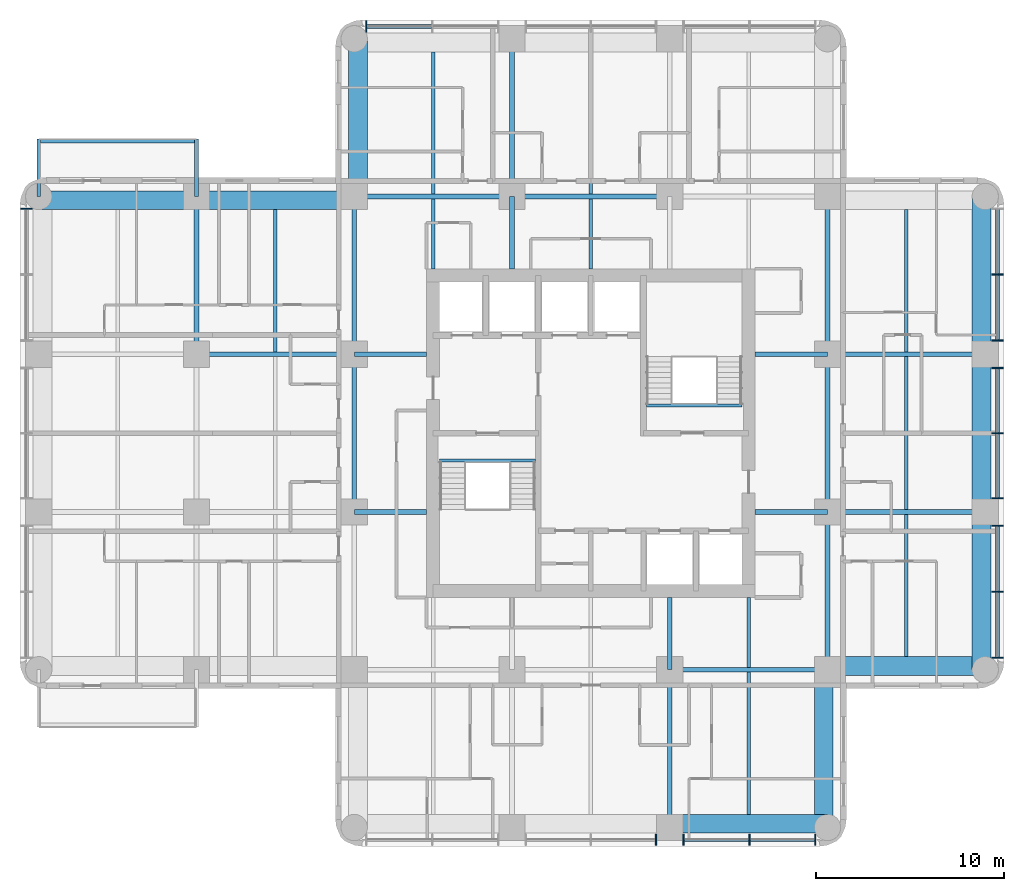
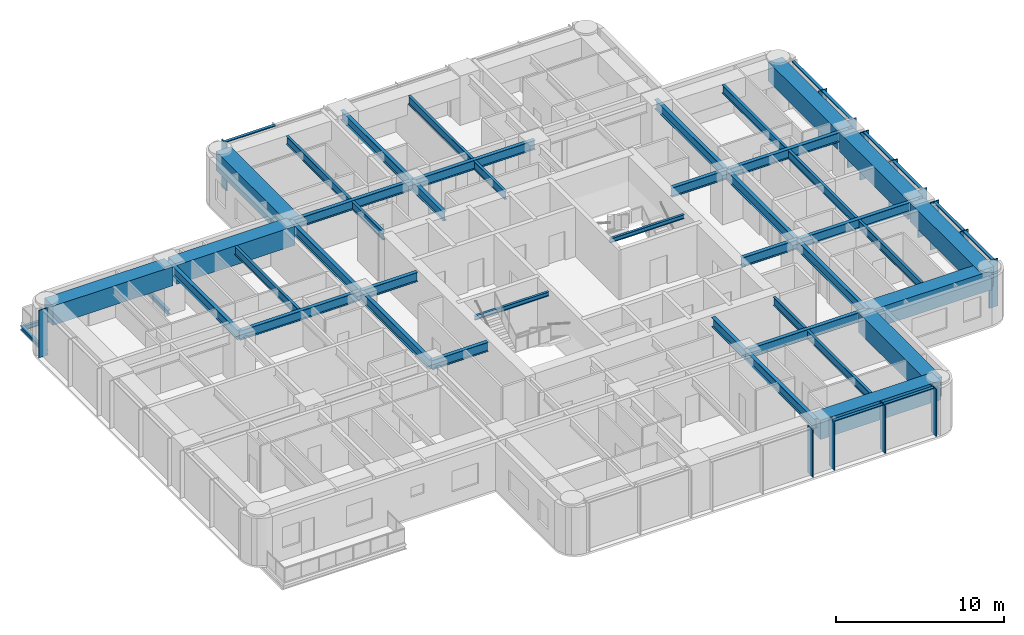
# One storey, part 2 of 11: 44 beams, 23 members, 4 elements without a shape of their own.
"""IFC4 building model written with IfcOpenShell, lengths in metres."""

from ifc_helpers import new_model, si_unit, direction, frame, origin, origin_2d, place, context, subcontext, project, spatial, rectangle, i_section, extrude, material, material_profile, profile_set, type_object, element, aggregate, save


model = new_model("IFC4")

# Units and contexts
model_context = context("Model", 3, precision=1e-05, world=origin(), true_north=direction((0.0, 1.0)))
body_context = subcontext(model_context, "Body", "Model", "MODEL_VIEW")
ifc_project = project(units=[si_unit("LENGTHUNIT", "METRE"), si_unit("AREAUNIT", "SQUARE_METRE"), si_unit("VOLUMEUNIT", "CUBIC_METRE"), si_unit("PLANEANGLEUNIT", "RADIAN"), si_unit("MASSUNIT", "GRAM", prefix="KILO")], contexts=[model_context])

# Site, building, storey
site_placement = place(None, origin())
site = spatial("IfcSite", under=ifc_project, at=site_placement, CompositionType="ELEMENT")
building_placement = place(site_placement, origin())
building = spatial("IfcBuilding", under=site, at=building_placement, Name="Torre Alcanfor", CompositionType="ELEMENT")
storey_placement = place(building_placement, frame((0.0, 0.0, 222.89990234375)))
storey = spatial("IfcBuildingStorey", under=building, at=storey_placement, Name="L58", CompositionType="ELEMENT", Elevation=222.89990234375)

# Beams
ifc_material_1 = material(Name="Steel ASTM A992 Grade 50", Category="steel")
ifc_material_profile_1 = material_profile(ifc_material_1, i_section(OverallWidth=0.205322265625, OverallDepth=0.309814453125, WebThickness=0.00927734375, FlangeThickness=0.016357421875, at=origin_2d()), Name="W12x50")
ifc_profile_set_1 = profile_set([ifc_material_profile_1], Name="Steel ASTM A992 Grade 50")
beam_type_1 = type_object("IfcBeamType", Name="Balcony cantilever beam W12x50", PredefinedType="BEAM", material=ifc_profile_set_1)
for number, where, z_axis, x_axis, name in (
    (1, (8.39990234375, 42.0, -0.354736328125), (0.0, 1.0, 0.0), (-1.0, 0.0, 0.0), "Balcony cantilever beam L58-W2 1"),
    (2, (0.0, 42.0, -0.354736328125), (0.0, 1.0, 0.0), (-1.0, 0.0, 0.0), "Balcony cantilever beam L58-W2 2"),
):
    element("IfcBeam", number, at=place(storey_placement, frame(where, z_axis=z_axis, x_axis=x_axis)), inside=storey, type_object=beam_type_1, Name=name, PredefinedType="BEAM", context=body_context, shape_type="SweptSolid", body=[
        extrude(i_section(OverallWidth=0.205322265625, OverallDepth=0.309814453125, WebThickness=0.00927734375, FlangeThickness=0.016357421875, at=origin_2d()), origin(), (0.0, 0.0, 1.0), 3.050048828125),
    ])
ifc_material_2 = material(Name="Steel ASTM A992 Grade 50", Category="steel")
ifc_material_profile_2 = material_profile(ifc_material_2, i_section(OverallWidth=0.203369140625, OverallDepth=0.30224609375, WebThickness=0.007568359375, FlangeThickness=0.01318359375, at=origin_2d()), Name="W12x40")
ifc_profile_set_2 = profile_set([ifc_material_profile_2], Name="Steel ASTM A992 Grade 50")
beam_type_2 = type_object("IfcBeamType", Name="Balcony edge trimmer W12x40", PredefinedType="BEAM", material=ifc_profile_set_2)
beam_1_placement = place(storey_placement, frame((8.39990234375, 44.9482421875, -0.35107421875), z_axis=(-1.0, 0.0, 0.0), x_axis=(0.0, -1.0, 0.0)))
element("IfcBeam", 3, at=beam_1_placement, inside=storey, type_object=beam_type_2, Name="Balcony edge trimmer L58-W2", PredefinedType="BEAM", context=body_context, shape_type="SweptSolid", body=[
    extrude(i_section(OverallWidth=0.203369140625, OverallDepth=0.30224609375, WebThickness=0.007568359375, FlangeThickness=0.01318359375, at=origin_2d()), origin(), (0.0, 0.0, 1.0), 8.39990234375),
])

# Curtain wall, member
ifc_material_3 = material(Name="Aluminium and glass", Category="aluminium")
curtain_wall_type = type_object("IfcCurtainWallType", Name="CW-A unitised apartment glazing with vertical FIN", PredefinedType="NOTDEFINED", material=ifc_material_3)
curtain_wall_1_placement = place(storey_placement, origin())
curtain_wall_1 = element("IfcCurtainWall", 4, at=curtain_wall_1_placement, inside=storey, type_object=curtain_wall_type, Name="Curtain wall CW-A L58 2", PredefinedType="NOTDEFINED")
ifc_material_4 = material(Name="Bronze anodised aluminium", Category="aluminium")
ifc_material_profile_3 = material_profile(ifc_material_4, rectangle(XDim=0.60009765625, YDim=0.06494140625, at=origin_2d()), Name="CW-A mullion 65x600")
ifc_profile_set_3 = profile_set([ifc_material_profile_3], Name="Bronze anodised aluminium")
member_type_1 = type_object("IfcMemberType", Name="CW-A mullion with vertical FIN 65x600", PredefinedType="MULLION", material=ifc_profile_set_3)
member_1_placement = place(storey_placement, frame((-0.64990234375, 41.35546875, 0.0), z_axis=(0.0, 0.0, 1.0), x_axis=(1.0, 0.0, 0.0)))
member_1 = element("IfcMember", 5, at=member_1_placement, type_object=member_type_1, Name="CW-A mullion 1.1", PredefinedType="MULLION", context=body_context, shape_type="SweptSolid", body=[
    extrude(rectangle(XDim=0.60009765625, YDim=0.06494140625, at=origin_2d()), origin(), (0.0, 0.0, 1.0), 3.4501953125),
])
aggregate(curtain_wall_1, [member_1])

# Curtain wall, members
curtain_wall_2_placement = place(storey_placement, origin())
curtain_wall_2 = element("IfcCurtainWall", 6, at=curtain_wall_2_placement, inside=storey, type_object=curtain_wall_type, Name="Curtain wall CW-A L58 5", PredefinedType="NOTDEFINED")
member_2_placement = place(storey_placement, frame((32.862548828125, 7.75, 0.0), z_axis=(0.0, 0.0, 1.0), x_axis=(0.0, 1.0, 0.0)))
member_2 = element("IfcMember", 7, at=member_2_placement, type_object=member_type_1, Name="CW-A mullion 2.3", PredefinedType="MULLION", context=body_context, shape_type="SweptSolid", body=[
    extrude(rectangle(XDim=0.60009765625, YDim=0.06494140625, at=origin_2d()), origin(), (0.0, 0.0, 1.0), 3.4501953125),
])
member_3_placement = place(storey_placement, frame((34.33740234375, 7.75, 0.0), z_axis=(0.0, 0.0, 1.0), x_axis=(0.0, 1.0, 0.0)))
member_3 = element("IfcMember", 8, at=member_3_placement, type_object=member_type_1, Name="CW-A mullion 3.1", PredefinedType="MULLION", context=body_context, shape_type="SweptSolid", body=[
    extrude(rectangle(XDim=0.60009765625, YDim=0.06494140625, at=origin_2d()), origin(), (0.0, 0.0, 1.0), 3.4501953125),
])
member_4_placement = place(storey_placement, frame((37.846435546875, 7.75, 0.0), z_axis=(0.0, 0.0, 1.0), x_axis=(0.0, 1.0, 0.0)))
member_4 = element("IfcMember", 9, at=member_4_placement, type_object=member_type_1, Name="CW-A mullion 3.2", PredefinedType="MULLION", context=body_context, shape_type="SweptSolid", body=[
    extrude(rectangle(XDim=0.60009765625, YDim=0.06494140625, at=origin_2d()), origin(), (0.0, 0.0, 1.0), 3.4501953125),
])
member_5_placement = place(storey_placement, frame((41.35546875, 7.75, 0.0), z_axis=(0.0, 0.0, 1.0), x_axis=(0.0, 1.0, 0.0)))
member_5 = element("IfcMember", 10, at=member_5_placement, type_object=member_type_1, Name="CW-A mullion 3.3", PredefinedType="MULLION", context=body_context, shape_type="SweptSolid", body=[
    extrude(rectangle(XDim=0.60009765625, YDim=0.06494140625, at=origin_2d()), origin(), (0.0, 0.0, 1.0), 3.4501953125),
])

curtain_wall_3_placement = place(storey_placement, origin())
curtain_wall_3 = element("IfcCurtainWall", 11, at=curtain_wall_3_placement, inside=storey, type_object=curtain_wall_type, Name="Curtain wall CW-A L58 8", PredefinedType="NOTDEFINED")
member_6_placement = place(storey_placement, frame((51.050048828125, 17.444580078125, 0.0), z_axis=(0.0, 0.0, 1.0), x_axis=(-1.0, 0.0, 0.0)))
member_6 = element("IfcMember", 12, at=member_6_placement, type_object=member_type_1, Name="CW-A mullion 1.1", PredefinedType="MULLION", context=body_context, shape_type="SweptSolid", body=[
    extrude(rectangle(XDim=0.60009765625, YDim=0.06494140625, at=origin_2d()), origin(), (0.0, 0.0, 1.0), 3.4501953125),
])
member_7_placement = place(storey_placement, frame((51.050048828125, 20.95361328125, 0.0), z_axis=(0.0, 0.0, 1.0), x_axis=(-1.0, 0.0, 0.0)))
member_7 = element("IfcMember", 13, at=member_7_placement, type_object=member_type_1, Name="CW-A mullion 1.2", PredefinedType="MULLION", context=body_context, shape_type="SweptSolid", body=[
    extrude(rectangle(XDim=0.60009765625, YDim=0.06494140625, at=origin_2d()), origin(), (0.0, 0.0, 1.0), 3.4501953125),
])
member_8_placement = place(storey_placement, frame((51.050048828125, 24.46240234375, 0.0), z_axis=(0.0, 0.0, 1.0), x_axis=(-1.0, 0.0, 0.0)))
member_8 = element("IfcMember", 14, at=member_8_placement, type_object=member_type_1, Name="CW-A mullion 1.3", PredefinedType="MULLION", context=body_context, shape_type="SweptSolid", body=[
    extrude(rectangle(XDim=0.60009765625, YDim=0.06494140625, at=origin_2d()), origin(), (0.0, 0.0, 1.0), 3.4501953125),
])
member_9_placement = place(storey_placement, frame((51.050048828125, 25.9375, 0.0), z_axis=(0.0, 0.0, 1.0), x_axis=(-1.0, 0.0, 0.0)))
member_9 = element("IfcMember", 15, at=member_9_placement, type_object=member_type_1, Name="CW-A mullion 2.1", PredefinedType="MULLION", context=body_context, shape_type="SweptSolid", body=[
    extrude(rectangle(XDim=0.60009765625, YDim=0.06494140625, at=origin_2d()), origin(), (0.0, 0.0, 1.0), 3.4501953125),
])
member_10_placement = place(storey_placement, frame((51.050048828125, 29.39990234375, 0.0), z_axis=(0.0, 0.0, 1.0), x_axis=(-1.0, 0.0, 0.0)))
member_10 = element("IfcMember", 16, at=member_10_placement, type_object=member_type_1, Name="CW-A mullion 2.2", PredefinedType="MULLION", context=body_context, shape_type="SweptSolid", body=[
    extrude(rectangle(XDim=0.60009765625, YDim=0.06494140625, at=origin_2d()), origin(), (0.0, 0.0, 1.0), 3.4501953125),
])
member_11_placement = place(storey_placement, frame((51.050048828125, 32.862548828125, 0.0), z_axis=(0.0, 0.0, 1.0), x_axis=(-1.0, 0.0, 0.0)))
member_11 = element("IfcMember", 17, at=member_11_placement, type_object=member_type_1, Name="CW-A mullion 2.3", PredefinedType="MULLION", context=body_context, shape_type="SweptSolid", body=[
    extrude(rectangle(XDim=0.60009765625, YDim=0.06494140625, at=origin_2d()), origin(), (0.0, 0.0, 1.0), 3.4501953125),
])
member_12_placement = place(storey_placement, frame((51.050048828125, 34.33740234375, 0.0), z_axis=(0.0, 0.0, 1.0), x_axis=(-1.0, 0.0, 0.0)))
member_12 = element("IfcMember", 18, at=member_12_placement, type_object=member_type_1, Name="CW-A mullion 3.1", PredefinedType="MULLION", context=body_context, shape_type="SweptSolid", body=[
    extrude(rectangle(XDim=0.60009765625, YDim=0.06494140625, at=origin_2d()), origin(), (0.0, 0.0, 1.0), 3.4501953125),
])
member_13_placement = place(storey_placement, frame((51.050048828125, 37.846435546875, 0.0), z_axis=(0.0, 0.0, 1.0), x_axis=(-1.0, 0.0, 0.0)))
member_13 = element("IfcMember", 19, at=member_13_placement, type_object=member_type_1, Name="CW-A mullion 3.2", PredefinedType="MULLION", context=body_context, shape_type="SweptSolid", body=[
    extrude(rectangle(XDim=0.60009765625, YDim=0.06494140625, at=origin_2d()), origin(), (0.0, 0.0, 1.0), 3.4501953125),
])

# Curtain wall, member
curtain_wall_4_placement = place(storey_placement, origin())
curtain_wall_4 = element("IfcCurtainWall", 20, at=curtain_wall_4_placement, inside=storey, type_object=curtain_wall_type, Name="Curtain wall CW-A L58 11", PredefinedType="NOTDEFINED")
member_14_placement = place(storey_placement, frame((17.444580078125, 51.050048828125, 0.0), z_axis=(0.0, 0.0, 1.0), x_axis=(0.0, -1.0, 0.0)))
member_14 = element("IfcMember", 21, at=member_14_placement, type_object=member_type_1, Name="CW-A mullion 3.3", PredefinedType="MULLION", context=body_context, shape_type="SweptSolid", body=[
    extrude(rectangle(XDim=0.60009765625, YDim=0.06494140625, at=origin_2d()), origin(), (0.0, 0.0, 1.0), 3.4501953125),
])

# Member
ifc_material_5 = material(Name="Extruded aluminium", Category="aluminium")
ifc_material_profile_4 = material_profile(ifc_material_5, rectangle(XDim=0.199951171875, YDim=0.06494140625, at=origin_2d()), Name="CW-A transom 200x65")
ifc_profile_set_4 = profile_set([ifc_material_profile_4], Name="Extruded aluminium")
member_type_2 = type_object("IfcMemberType", Name="CW-A transom 65x200", PredefinedType="USERDEFINED", material=ifc_profile_set_4)
member_15_placement = place(storey_placement, frame((34.3701171875, 7.75, 3.41748046875), z_axis=(1.0, 0.0, 0.0), x_axis=(0.0, 1.0, 0.0)))
member_15 = element("IfcMember", 22, at=member_15_placement, type_object=member_type_2, Name="CW-A transom 3.1.2", ObjectType="TRANSOM", PredefinedType="USERDEFINED", context=body_context, shape_type="SweptSolid", body=[
    extrude(rectangle(XDim=0.199951171875, YDim=0.06494140625, at=origin_2d()), origin(), (0.0, 0.0, 1.0), 3.44384765625),
])

member_16_placement = place(storey_placement, frame((37.87890625, 7.75, 3.41748046875), z_axis=(1.0, 0.0, 0.0), x_axis=(0.0, 1.0, 0.0)))
member_16 = element("IfcMember", 23, at=member_16_placement, type_object=member_type_2, Name="CW-A transom 3.2.2", ObjectType="TRANSOM", PredefinedType="USERDEFINED", context=body_context, shape_type="SweptSolid", body=[
    extrude(rectangle(XDim=0.199951171875, YDim=0.06494140625, at=origin_2d()), origin(), (0.0, 0.0, 1.0), 3.444091796875),
])

aggregate(curtain_wall_2, [member_2, member_3, member_4, member_5, member_15, member_16])

member_17_placement = place(storey_placement, frame((51.050048828125, 17.47705078125, 3.41748046875), z_axis=(0.0, 1.0, 0.0), x_axis=(-1.0, 0.0, 0.0)))
member_17 = element("IfcMember", 24, at=member_17_placement, type_object=member_type_2, Name="CW-A transom 1.1.2", ObjectType="TRANSOM", PredefinedType="USERDEFINED", context=body_context, shape_type="SweptSolid", body=[
    extrude(rectangle(XDim=0.199951171875, YDim=0.06494140625, at=origin_2d()), origin(), (0.0, 0.0, 1.0), 3.44384765625),
])

member_18_placement = place(storey_placement, frame((51.050048828125, 20.986083984375, 3.41748046875), z_axis=(0.0, 1.0, 0.0), x_axis=(-1.0, 0.0, 0.0)))
member_18 = element("IfcMember", 25, at=member_18_placement, type_object=member_type_2, Name="CW-A transom 1.2.2", ObjectType="TRANSOM", PredefinedType="USERDEFINED", context=body_context, shape_type="SweptSolid", body=[
    extrude(rectangle(XDim=0.199951171875, YDim=0.06494140625, at=origin_2d()), origin(), (0.0, 0.0, 1.0), 3.44384765625),
])

member_19_placement = place(storey_placement, frame((51.050048828125, 25.969970703125, 3.41748046875), z_axis=(0.0, 1.0, 0.0), x_axis=(-1.0, 0.0, 0.0)))
member_19 = element("IfcMember", 26, at=member_19_placement, type_object=member_type_2, Name="CW-A transom 2.1.2", ObjectType="TRANSOM", PredefinedType="USERDEFINED", context=body_context, shape_type="SweptSolid", body=[
    extrude(rectangle(XDim=0.199951171875, YDim=0.06494140625, at=origin_2d()), origin(), (0.0, 0.0, 1.0), 3.3974609375),
])

member_20_placement = place(storey_placement, frame((51.050048828125, 29.4326171875, 3.41748046875), z_axis=(0.0, 1.0, 0.0), x_axis=(-1.0, 0.0, 0.0)))
member_20 = element("IfcMember", 27, at=member_20_placement, type_object=member_type_2, Name="CW-A transom 2.2.2", ObjectType="TRANSOM", PredefinedType="USERDEFINED", context=body_context, shape_type="SweptSolid", body=[
    extrude(rectangle(XDim=0.199951171875, YDim=0.06494140625, at=origin_2d()), origin(), (0.0, 0.0, 1.0), 3.3974609375),
])

member_21_placement = place(storey_placement, frame((51.050048828125, 34.3701171875, 3.41748046875), z_axis=(0.0, 1.0, 0.0), x_axis=(-1.0, 0.0, 0.0)))
member_21 = element("IfcMember", 28, at=member_21_placement, type_object=member_type_2, Name="CW-A transom 3.1.2", ObjectType="TRANSOM", PredefinedType="USERDEFINED", context=body_context, shape_type="SweptSolid", body=[
    extrude(rectangle(XDim=0.199951171875, YDim=0.06494140625, at=origin_2d()), origin(), (0.0, 0.0, 1.0), 3.44384765625),
])

member_22_placement = place(storey_placement, frame((51.050048828125, 37.87890625, 3.41748046875), z_axis=(0.0, 1.0, 0.0), x_axis=(-1.0, 0.0, 0.0)))
member_22 = element("IfcMember", 29, at=member_22_placement, type_object=member_type_2, Name="CW-A transom 3.2.2", ObjectType="TRANSOM", PredefinedType="USERDEFINED", context=body_context, shape_type="SweptSolid", body=[
    extrude(rectangle(XDim=0.199951171875, YDim=0.06494140625, at=origin_2d()), origin(), (0.0, 0.0, 1.0), 3.444091796875),
])

aggregate(curtain_wall_3, [member_6, member_7, member_8, member_17, member_18, member_9, member_10, member_11, member_19, member_20, member_12, member_13, member_21, member_22])

member_23_placement = place(storey_placement, frame((20.9208984375, 51.050048828125, 3.41748046875), z_axis=(-1.0, 0.0, 0.0), x_axis=(0.0, -1.0, 0.0)))
member_23 = element("IfcMember", 30, at=member_23_placement, type_object=member_type_2, Name="CW-A transom 3.2.2", ObjectType="TRANSOM", PredefinedType="USERDEFINED", context=body_context, shape_type="SweptSolid", body=[
    extrude(rectangle(XDim=0.199951171875, YDim=0.06494140625, at=origin_2d()), origin(), (0.0, 0.0, 1.0), 3.44384765625),
])

aggregate(curtain_wall_4, [member_14, member_23])

# Beams
ifc_material_6 = material(Name="Steel ASTM A992 Grade 50", Category="steel")
ifc_material_profile_5 = material_profile(ifc_material_6, i_section(OverallWidth=0.25390625, OverallDepth=0.683349609375, WebThickness=0.012451171875, FlangeThickness=0.01904296875, at=origin_2d()), Name="W27x94")
ifc_profile_set_5 = profile_set([ifc_material_profile_5], Name="Steel ASTM A992 Grade 50")
beam_type_3 = type_object("IfcBeamType", Name="Girder W27x94", PredefinedType="BEAM", material=ifc_profile_set_5)
for number, where, z_axis, x_axis, name in (
    (31, (33.60009765625, 16.800048828125, 3.1083984375), (1.0, 0.0, 0.0), (0.0, 1.0, 0.0), "Beam 5E-6E under L59"),
    (32, (42.0, 25.199951171875, 3.1083984375), (1.0, 0.0, 0.0), (0.0, 1.0, 0.0), "Beam 6F-7F under L59"),
):
    element("IfcBeam", number, at=place(storey_placement, frame(where, z_axis=z_axis, x_axis=x_axis)), inside=storey, type_object=beam_type_3, Name=name, PredefinedType="BEAM", context=body_context, shape_type="SweptSolid", body=[
        extrude(i_section(OverallWidth=0.25390625, OverallDepth=0.683349609375, WebThickness=0.012451171875, FlangeThickness=0.01904296875, at=origin_2d()), origin(), (0.0, 0.0, 1.0), 8.39990234375),
    ])
beam_2_placement = place(storey_placement, frame((8.39990234375, 33.60009765625, 3.1083984375), z_axis=(1.0, 0.0, 0.0), x_axis=(0.0, 1.0, 0.0)))
element("IfcBeam", 33, at=beam_2_placement, inside=storey, type_object=beam_type_3, Name="Beam 2G-3G under L59", PredefinedType="BEAM", context=body_context, shape_type="SweptSolid", body=[
    extrude(i_section(OverallWidth=0.25390625, OverallDepth=0.683349609375, WebThickness=0.012451171875, FlangeThickness=0.01904296875, at=origin_2d()), origin(), (0.0, 0.0, 1.0), 8.400146484375),
])
for number, where, z_axis, x_axis, name in (
    (34, (42.0, 33.60009765625, 3.1083984375), (1.0, 0.0, 0.0), (0.0, 1.0, 0.0), "Beam 6G-7G under L59"),
    (35, (16.800048828125, 42.0, 3.1083984375), (1.0, 0.0, 0.0), (0.0, 1.0, 0.0), "Beam 3H-4H under L59"),
):
    element("IfcBeam", number, at=place(storey_placement, frame(where, z_axis=z_axis, x_axis=x_axis)), inside=storey, type_object=beam_type_3, Name=name, PredefinedType="BEAM", context=body_context, shape_type="SweptSolid", body=[
        extrude(i_section(OverallWidth=0.25390625, OverallDepth=0.683349609375, WebThickness=0.012451171875, FlangeThickness=0.01904296875, at=origin_2d()), origin(), (0.0, 0.0, 1.0), 8.39990234375),
    ])
beam_3_placement = place(storey_placement, frame((25.199951171875, 42.0, 3.1083984375), z_axis=(1.0, 0.0, 0.0), x_axis=(0.0, 1.0, 0.0)))
element("IfcBeam", 36, at=beam_3_placement, inside=storey, type_object=beam_type_3, Name="Beam 4H-5H under L59", PredefinedType="BEAM", context=body_context, shape_type="SweptSolid", body=[
    extrude(i_section(OverallWidth=0.25390625, OverallDepth=0.683349609375, WebThickness=0.012451171875, FlangeThickness=0.01904296875, at=origin_2d()), origin(), (0.0, 0.0, 1.0), 8.400146484375),
])
beam_4_placement = place(storey_placement, frame((8.39990234375, 33.60009765625, 3.1083984375), z_axis=(0.0, 1.0, 0.0), x_axis=(-1.0, 0.0, 0.0)))
element("IfcBeam", 37, at=beam_4_placement, inside=storey, type_object=beam_type_3, Name="Beam 2G-2H under L59", PredefinedType="BEAM", context=body_context, shape_type="SweptSolid", body=[
    extrude(i_section(OverallWidth=0.25390625, OverallDepth=0.683349609375, WebThickness=0.012451171875, FlangeThickness=0.01904296875, at=origin_2d()), origin(), (0.0, 0.0, 1.0), 8.39990234375),
])
beam_5_placement = place(storey_placement, frame((16.800048828125, 25.199951171875, 3.1083984375), z_axis=(0.0, 1.0, 0.0), x_axis=(-1.0, 0.0, 0.0)))
element("IfcBeam", 38, at=beam_5_placement, inside=storey, type_object=beam_type_3, Name="Beam 3F-3G under L59", PredefinedType="BEAM", context=body_context, shape_type="SweptSolid", body=[
    extrude(i_section(OverallWidth=0.25390625, OverallDepth=0.683349609375, WebThickness=0.012451171875, FlangeThickness=0.01904296875, at=origin_2d()), origin(), (0.0, 0.0, 1.0), 8.400146484375),
])
for number, where, z_axis, x_axis, name in (
    (39, (16.800048828125, 33.60009765625, 3.1083984375), (0.0, 1.0, 0.0), (-1.0, 0.0, 0.0), "Beam 3G-3H under L59"),
    (40, (25.199951171875, 42.0, 3.1083984375), (0.0, 1.0, 0.0), (-1.0, 0.0, 0.0), "Beam 4H-4J under L59"),
):
    element("IfcBeam", number, at=place(storey_placement, frame(where, z_axis=z_axis, x_axis=x_axis)), inside=storey, type_object=beam_type_3, Name=name, PredefinedType="BEAM", context=body_context, shape_type="SweptSolid", body=[
        extrude(i_section(OverallWidth=0.25390625, OverallDepth=0.683349609375, WebThickness=0.012451171875, FlangeThickness=0.01904296875, at=origin_2d()), origin(), (0.0, 0.0, 1.0), 8.39990234375),
    ])
beam_6_placement = place(storey_placement, frame((33.60009765625, 8.39990234375, 3.1083984375), z_axis=(0.0, 1.0, 0.0), x_axis=(-1.0, 0.0, 0.0)))
element("IfcBeam", 41, at=beam_6_placement, inside=storey, type_object=beam_type_3, Name="Beam 5D-5E under L59", PredefinedType="BEAM", context=body_context, shape_type="SweptSolid", body=[
    extrude(i_section(OverallWidth=0.25390625, OverallDepth=0.683349609375, WebThickness=0.012451171875, FlangeThickness=0.01904296875, at=origin_2d()), origin(), (0.0, 0.0, 1.0), 8.400146484375),
])
beam_7_placement = place(storey_placement, frame((42.0, 16.800048828125, 3.1083984375), z_axis=(0.0, 1.0, 0.0), x_axis=(-1.0, 0.0, 0.0)))
element("IfcBeam", 42, at=beam_7_placement, inside=storey, type_object=beam_type_3, Name="Beam 6E-6F under L59", PredefinedType="BEAM", context=body_context, shape_type="SweptSolid", body=[
    extrude(i_section(OverallWidth=0.25390625, OverallDepth=0.683349609375, WebThickness=0.012451171875, FlangeThickness=0.01904296875, at=origin_2d()), origin(), (0.0, 0.0, 1.0), 8.39990234375),
])
beam_8_placement = place(storey_placement, frame((42.0, 25.199951171875, 3.1083984375), z_axis=(0.0, 1.0, 0.0), x_axis=(-1.0, 0.0, 0.0)))
element("IfcBeam", 43, at=beam_8_placement, inside=storey, type_object=beam_type_3, Name="Beam 6F-6G under L59", PredefinedType="BEAM", context=body_context, shape_type="SweptSolid", body=[
    extrude(i_section(OverallWidth=0.25390625, OverallDepth=0.683349609375, WebThickness=0.012451171875, FlangeThickness=0.01904296875, at=origin_2d()), origin(), (0.0, 0.0, 1.0), 8.400146484375),
])
beam_9_placement = place(storey_placement, frame((42.0, 33.60009765625, 3.1083984375), z_axis=(0.0, 1.0, 0.0), x_axis=(-1.0, 0.0, 0.0)))
element("IfcBeam", 44, at=beam_9_placement, inside=storey, type_object=beam_type_3, Name="Beam 6G-6H under L59", PredefinedType="BEAM", context=body_context, shape_type="SweptSolid", body=[
    extrude(i_section(OverallWidth=0.25390625, OverallDepth=0.683349609375, WebThickness=0.012451171875, FlangeThickness=0.01904296875, at=origin_2d()), origin(), (0.0, 0.0, 1.0), 8.39990234375),
])
ifc_material_7 = material(Name="Steel ASTM A992 Grade 50", Category="steel")
ifc_material_profile_6 = material_profile(ifc_material_7, i_section(OverallWidth=0.25390625, OverallDepth=0.683349609375, WebThickness=0.012451171875, FlangeThickness=0.01904296875, at=origin_2d()), Name="W27x94")
ifc_profile_set_6 = profile_set([ifc_material_profile_6], Name="Steel ASTM A992 Grade 50")
beam_type_4 = type_object("IfcBeamType", Name="Girder, part bay W27x94", PredefinedType="BEAM", material=ifc_profile_set_6)
beam_10_placement = place(storey_placement, frame((25.199951171875, 42.0, 3.1083984375), z_axis=(0.0, -1.0, 0.0), x_axis=(1.0, 0.0, 0.0)))
element("IfcBeam", 45, at=beam_10_placement, inside=storey, type_object=beam_type_4, Name="Beam 4H-438_15 under L59", PredefinedType="BEAM", context=body_context, shape_type="SweptSolid", body=[
    extrude(i_section(OverallWidth=0.25390625, OverallDepth=0.683349609375, WebThickness=0.012451171875, FlangeThickness=0.01904296875, at=origin_2d()), origin(), (0.0, 0.0, 1.0), 3.85009765625),
])
for number, where, z_axis, x_axis, name in (
    (46, (33.60009765625, 16.800048828125, 3.1083984375), (0.0, 1.0, 0.0), (-1.0, 0.0, 0.0), "Beam 5E-520_65 under L59"),
    (47, (16.800048828125, 25.199951171875, 3.1083984375), (1.0, 0.0, 0.0), (0.0, 1.0, 0.0), "Beam 3F-20_65F under L59"),
):
    element("IfcBeam", number, at=place(storey_placement, frame(where, z_axis=z_axis, x_axis=x_axis)), inside=storey, type_object=beam_type_4, Name=name, PredefinedType="BEAM", context=body_context, shape_type="SweptSolid", body=[
        extrude(i_section(OverallWidth=0.25390625, OverallDepth=0.683349609375, WebThickness=0.012451171875, FlangeThickness=0.01904296875, at=origin_2d()), origin(), (0.0, 0.0, 1.0), 3.849853515625),
    ])
beam_11_placement = place(storey_placement, frame((42.0, 25.199951171875, 3.1083984375), z_axis=(-1.0, 0.0, 0.0), x_axis=(0.0, -1.0, 0.0)))
element("IfcBeam", 48, at=beam_11_placement, inside=storey, type_object=beam_type_4, Name="Beam 6F-38_15F under L59", PredefinedType="BEAM", context=body_context, shape_type="SweptSolid", body=[
    extrude(i_section(OverallWidth=0.25390625, OverallDepth=0.683349609375, WebThickness=0.012451171875, FlangeThickness=0.01904296875, at=origin_2d()), origin(), (0.0, 0.0, 1.0), 3.85009765625),
])
beam_12_placement = place(storey_placement, frame((16.800048828125, 33.60009765625, 3.1083984375), z_axis=(1.0, 0.0, 0.0), x_axis=(0.0, 1.0, 0.0)))
element("IfcBeam", 49, at=beam_12_placement, inside=storey, type_object=beam_type_4, Name="Beam 3G-20_65G under L59", PredefinedType="BEAM", context=body_context, shape_type="SweptSolid", body=[
    extrude(i_section(OverallWidth=0.25390625, OverallDepth=0.683349609375, WebThickness=0.012451171875, FlangeThickness=0.01904296875, at=origin_2d()), origin(), (0.0, 0.0, 1.0), 3.849853515625),
])
beam_13_placement = place(storey_placement, frame((42.0, 33.60009765625, 3.1083984375), z_axis=(-1.0, 0.0, 0.0), x_axis=(0.0, -1.0, 0.0)))
element("IfcBeam", 50, at=beam_13_placement, inside=storey, type_object=beam_type_4, Name="Beam 6G-38_15G under L59", PredefinedType="BEAM", context=body_context, shape_type="SweptSolid", body=[
    extrude(i_section(OverallWidth=0.25390625, OverallDepth=0.683349609375, WebThickness=0.012451171875, FlangeThickness=0.01904296875, at=origin_2d()), origin(), (0.0, 0.0, 1.0), 3.85009765625),
])
ifc_material_8 = material(Name="Concrete f'c 70 MPa", Category="concrete")
ifc_material_profile_7 = material_profile(ifc_material_8, rectangle(XDim=1.0, YDim=1.39990234375, at=origin_2d()), Name="1000x1400")
ifc_profile_set_7 = profile_set([ifc_material_profile_7], Name="Concrete f'c 70 MPa")
beam_type_5 = type_object("IfcBeamType", Name="RC perimeter beam 1000x1400", PredefinedType="BEAM", material=ifc_profile_set_7)
for number, where, z_axis, x_axis, name in (
    (51, (33.72705078125, 8.60009765625, 2.75), (1.0, 0.0, 0.0), (0.0, 1.0, 0.0), "Beam 5D-6D under L59"),
    (52, (42.126953125, 17.0, 2.75), (1.0, 0.0, 0.0), (0.0, 1.0, 0.0), "Beam 6E-7E under L59"),
    (53, (0.0, 41.800048828125, 2.75), (1.0, 0.0, 0.0), (0.0, 1.0, 0.0), "Beam 1H-2H under L59"),
):
    element("IfcBeam", number, at=place(storey_placement, frame(where, z_axis=z_axis, x_axis=x_axis)), inside=storey, type_object=beam_type_5, Name=name, PredefinedType="BEAM", context=body_context, shape_type="SweptSolid", body=[
        extrude(rectangle(XDim=1.0, YDim=1.39990234375, at=origin_2d()), origin(), (0.0, 0.0, 1.0), 8.27294921875),
    ])
beam_14_placement = place(storey_placement, frame((8.527099609375, 41.800048828125, 2.75), z_axis=(1.0, 0.0, 0.0), x_axis=(0.0, 1.0, 0.0)))
element("IfcBeam", 54, at=beam_14_placement, inside=storey, type_object=beam_type_5, Name="Beam 2H-3H under L59", PredefinedType="BEAM", context=body_context, shape_type="SweptSolid", body=[
    extrude(rectangle(XDim=1.0, YDim=1.39990234375, at=origin_2d()), origin(), (0.0, 0.0, 1.0), 8.14599609375),
])
beam_15_placement = place(storey_placement, frame((17.0, 42.126953125, 2.75), z_axis=(0.0, 1.0, 0.0), x_axis=(-1.0, 0.0, 0.0)))
element("IfcBeam", 55, at=beam_15_placement, inside=storey, type_object=beam_type_5, Name="Beam 3H-3J under L59", PredefinedType="BEAM", context=body_context, shape_type="SweptSolid", body=[
    extrude(rectangle(XDim=1.0, YDim=1.39990234375, at=origin_2d()), origin(), (0.0, 0.0, 1.0), 8.27294921875),
])
beam_16_placement = place(storey_placement, frame((41.800048828125, 8.39990234375, 2.75), z_axis=(0.0, 1.0, 0.0), x_axis=(-1.0, 0.0, 0.0)))
element("IfcBeam", 56, at=beam_16_placement, inside=storey, type_object=beam_type_5, Name="Beam 6D-6E under L59", PredefinedType="BEAM", context=body_context, shape_type="SweptSolid", body=[
    extrude(rectangle(XDim=1.0, YDim=1.39990234375, at=origin_2d()), origin(), (0.0, 0.0, 1.0), 8.273193359375),
])
beam_17_placement = place(storey_placement, frame((50.199951171875, 16.800048828125, 2.75), z_axis=(0.0, 1.0, 0.0), x_axis=(-1.0, 0.0, 0.0)))
element("IfcBeam", 57, at=beam_17_placement, inside=storey, type_object=beam_type_5, Name="Beam 7E-7F under L59", PredefinedType="BEAM", context=body_context, shape_type="SweptSolid", body=[
    extrude(rectangle(XDim=1.0, YDim=1.39990234375, at=origin_2d()), origin(), (0.0, 0.0, 1.0), 8.27294921875),
])
beam_18_placement = place(storey_placement, frame((50.199951171875, 25.326904296875, 2.75), z_axis=(0.0, 1.0, 0.0), x_axis=(-1.0, 0.0, 0.0)))
element("IfcBeam", 58, at=beam_18_placement, inside=storey, type_object=beam_type_5, Name="Beam 7F-7G under L59", PredefinedType="BEAM", context=body_context, shape_type="SweptSolid", body=[
    extrude(rectangle(XDim=1.0, YDim=1.39990234375, at=origin_2d()), origin(), (0.0, 0.0, 1.0), 8.14599609375),
])
beam_19_placement = place(storey_placement, frame((50.199951171875, 33.72705078125, 2.75), z_axis=(0.0, 1.0, 0.0), x_axis=(-1.0, 0.0, 0.0)))
element("IfcBeam", 59, at=beam_19_placement, inside=storey, type_object=beam_type_5, Name="Beam 7G-7H under L59", PredefinedType="BEAM", context=body_context, shape_type="SweptSolid", body=[
    extrude(rectangle(XDim=1.0, YDim=1.39990234375, at=origin_2d()), origin(), (0.0, 0.0, 1.0), 8.27294921875),
])
ifc_material_9 = material(Name="Steel ASTM A992 Grade 50", Category="steel")
ifc_material_profile_8 = material_profile(ifc_material_9, i_section(OverallWidth=0.1787109375, OverallDepth=0.60205078125, WebThickness=0.010986328125, FlangeThickness=0.014892578125, at=origin_2d()), Name="W24x62")
ifc_profile_set_8 = profile_set([ifc_material_profile_8], Name="Steel ASTM A992 Grade 50")
beam_type_6 = type_object("IfcBeamType", Name="Secondary beam W24x62", PredefinedType="BEAM", material=ifc_profile_set_8)
for number, where, z_axis, x_axis, name in (
    (60, (12.60009765625, 33.72705078125, 3.149169921875), (0.0, 1.0, 0.0), (-1.0, 0.0, 0.0), "Beam 12_6G-12_6H under L59"),
    (61, (21.0, 42.126953125, 3.149169921875), (0.0, 1.0, 0.0), (-1.0, 0.0, 0.0), "Beam 21H-21J under L59"),
    (62, (29.39990234375, 42.126953125, 3.149169921875), (0.0, 1.0, 0.0), (-1.0, 0.0, 0.0), "Beam 29_4H-29_4J under L59"),
    (63, (37.800048828125, 9.10009765625, 3.149169921875), (0.0, 1.0, 0.0), (-1.0, 0.0, 0.0), "Beam 37_8D-37_8E under L59"),
    (64, (46.199951171875, 17.5, 3.149169921875), (0.0, 1.0, 0.0), (-1.0, 0.0, 0.0), "Beam 46_2E-46_2F under L59"),
):
    element("IfcBeam", number, at=place(storey_placement, frame(where, z_axis=z_axis, x_axis=x_axis)), inside=storey, type_object=beam_type_6, Name=name, PredefinedType="BEAM", context=body_context, shape_type="SweptSolid", body=[
        extrude(i_section(OverallWidth=0.1787109375, OverallDepth=0.60205078125, WebThickness=0.010986328125, FlangeThickness=0.014892578125, at=origin_2d()), origin(), (0.0, 0.0, 1.0), 7.572998046875),
    ])
beam_20_placement = place(storey_placement, frame((46.199951171875, 25.326904296875, 3.149169921875), z_axis=(0.0, 1.0, 0.0), x_axis=(-1.0, 0.0, 0.0)))
element("IfcBeam", 65, at=beam_20_placement, inside=storey, type_object=beam_type_6, Name="Beam 46_2F-46_2G under L59", PredefinedType="BEAM", context=body_context, shape_type="SweptSolid", body=[
    extrude(i_section(OverallWidth=0.1787109375, OverallDepth=0.60205078125, WebThickness=0.010986328125, FlangeThickness=0.014892578125, at=origin_2d()), origin(), (0.0, 0.0, 1.0), 8.14599609375),
])
beam_21_placement = place(storey_placement, frame((46.199951171875, 33.72705078125, 3.149169921875), z_axis=(0.0, 1.0, 0.0), x_axis=(-1.0, 0.0, 0.0)))
element("IfcBeam", 66, at=beam_21_placement, inside=storey, type_object=beam_type_6, Name="Beam 46_2G-46_2H under L59", PredefinedType="BEAM", context=body_context, shape_type="SweptSolid", body=[
    extrude(i_section(OverallWidth=0.1787109375, OverallDepth=0.60205078125, WebThickness=0.010986328125, FlangeThickness=0.014892578125, at=origin_2d()), origin(), (0.0, 0.0, 1.0), 7.572998046875),
])
ifc_material_10 = material(Name="Steel ASTM A992 Grade 50", Category="steel")
ifc_material_profile_9 = material_profile(ifc_material_10, i_section(OverallWidth=0.1787109375, OverallDepth=0.60205078125, WebThickness=0.010986328125, FlangeThickness=0.014892578125, at=origin_2d()), Name="W24x62")
ifc_profile_set_9 = profile_set([ifc_material_profile_9], Name="Steel ASTM A992 Grade 50")
beam_type_7 = type_object("IfcBeamType", Name="Secondary beam, part bay W24x62", PredefinedType="BEAM", material=ifc_profile_set_9)
for number, where, z_axis, x_axis, name in (
    (67, (21.0, 38.14990234375, 3.149169921875), (0.0, 1.0, 0.0), (-1.0, 0.0, 0.0), "Beam 2138_15-21H under L59"),
    (68, (29.39990234375, 38.14990234375, 3.149169921875), (0.0, 1.0, 0.0), (-1.0, 0.0, 0.0), "Beam 29_438_15-29_4H under L59"),
):
    element("IfcBeam", number, at=place(storey_placement, frame(where, z_axis=z_axis, x_axis=x_axis)), inside=storey, type_object=beam_type_7, Name=name, PredefinedType="BEAM", context=body_context, shape_type="SweptSolid", body=[
        extrude(i_section(OverallWidth=0.1787109375, OverallDepth=0.60205078125, WebThickness=0.010986328125, FlangeThickness=0.014892578125, at=origin_2d()), origin(), (0.0, 0.0, 1.0), 3.72314453125),
    ])
beam_22_placement = place(storey_placement, frame((37.800048828125, 16.927001953125, 3.149169921875), z_axis=(0.0, 1.0, 0.0), x_axis=(-1.0, 0.0, 0.0)))
element("IfcBeam", 69, at=beam_22_placement, inside=storey, type_object=beam_type_7, Name="Beam 37_8E-37_820_65 under L59", PredefinedType="BEAM", context=body_context, shape_type="SweptSolid", body=[
    extrude(i_section(OverallWidth=0.1787109375, OverallDepth=0.60205078125, WebThickness=0.010986328125, FlangeThickness=0.014892578125, at=origin_2d()), origin(), (0.0, 0.0, 1.0), 3.722900390625),
])
ifc_material_11 = material(Name="Steel ASTM A992 Grade 50", Category="steel")
ifc_material_profile_10 = material_profile(ifc_material_11, i_section(OverallWidth=0.164794921875, OverallDepth=0.309814453125, WebThickness=0.005859375, FlangeThickness=0.009765625, at=origin_2d()), Name="W12x26")
ifc_profile_set_10 = profile_set([ifc_material_profile_10], Name="Steel ASTM A992 Grade 50")
beam_type_8 = type_object("IfcBeamType", Name="Stair landing beam W12x26", PredefinedType="BEAM", material=ifc_profile_set_10)
for number, where, z_axis, x_axis, name in (
    (70, (21.35009765625, 27.9375, 3.2451171875), (1.0, 0.0, 0.0), (0.0, 1.0, 0.0), "Landing trimmer S1 L59"),
    (71, (32.35009765625, 30.862548828125, 3.2451171875), (1.0, 0.0, 0.0), (0.0, 1.0, 0.0), "Landing trimmer S2 L59"),
):
    element("IfcBeam", number, at=place(storey_placement, frame(where, z_axis=z_axis, x_axis=x_axis)), inside=storey, type_object=beam_type_8, Name=name, PredefinedType="BEAM", context=body_context, shape_type="SweptSolid", body=[
        extrude(i_section(OverallWidth=0.164794921875, OverallDepth=0.309814453125, WebThickness=0.005859375, FlangeThickness=0.009765625, at=origin_2d()), origin(), (0.0, 0.0, 1.0), 5.099853515625),
    ])

save(model, "model.ifc")
